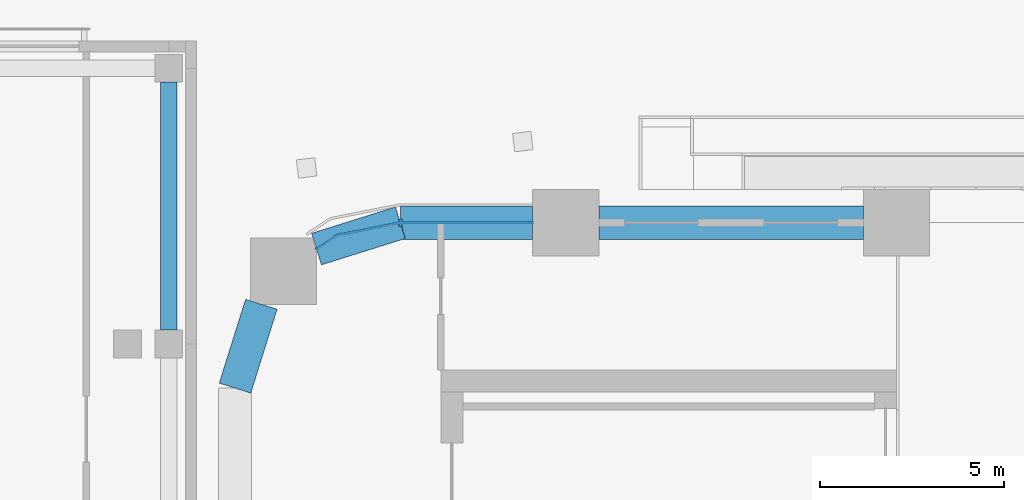
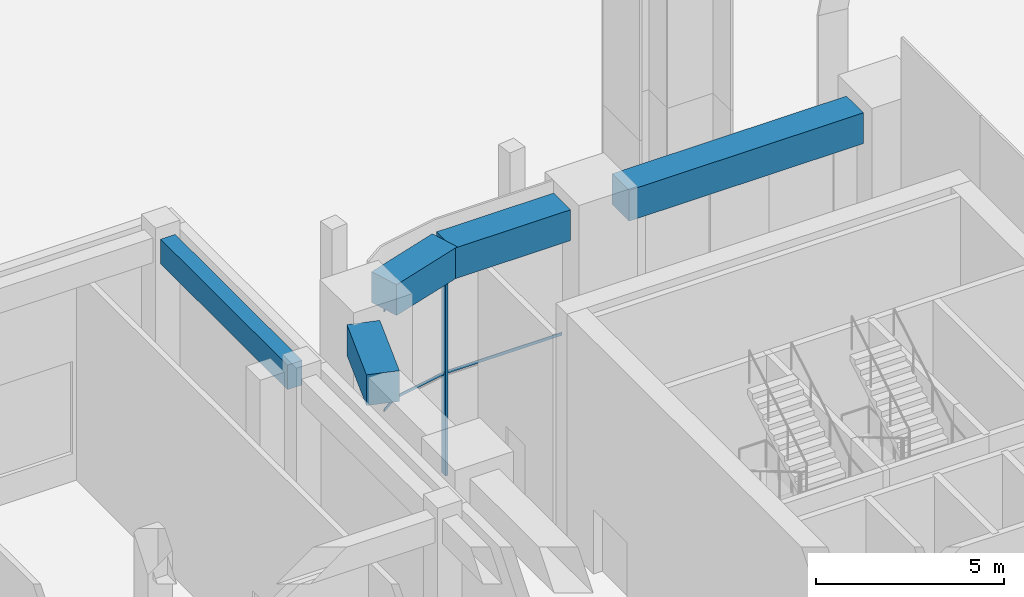
# One storey, part 17 of 64: 5 beams, 3 members, 1 element without a shape of its own.
"""IFC4 building model written with IfcOpenShell, lengths in metres."""

import ifcopenshell
import ifcopenshell.guid

model = None  # the IFC model being written
_history = None  # IfcOwnerHistory: only IFC2X3 demands one
_inside = {}  # id of a spatial element -> (the spatial element, [elements in it])
_under = {}  # id of a project, library or spatial element -> (it, [spatial elements below it])
_declared = {}  # id of a project -> (the project, [libraries it declares])
_typed = {}  # id of a type object -> (the type object, [elements of that type])
_made_of = {}  # id of a material, layer set ... -> (it, [elements and type objects made of it])


def new_model(schema):
    """Start an empty IFC model of exactly this schema.

    Asked for "IFC4X3", IfcOpenShell would pick the latest addendum, in which some entities
    have other attributes; the version numbers below select the first issue.
    IFC2X3 requires an IfcOwnerHistory on every rooted entity: one is made here for all.
    """
    global model, _history
    if schema == "IFC4X3":
        model = ifcopenshell.file(schema_version=(4, 3, 0, 0))
    else:
        model = ifcopenshell.file(schema=schema)
    _inside.clear()
    _under.clear()
    _declared.clear()
    _typed.clear()
    _made_of.clear()
    _history = None
    if model.schema == "IFC2X3":
        org = make("IfcOrganization", Name="unknown")
        user = make(
            "IfcPersonAndOrganization",
            ThePerson=make("IfcPerson", FamilyName="unknown"),
            TheOrganization=org,
        )
        app = make(
            "IfcApplication",
            ApplicationDeveloper=org,
            Version="unknown",
            ApplicationFullName="unknown",
            ApplicationIdentifier="unknown",
        )
        _history = make(
            "IfcOwnerHistory",
            OwningUser=user,
            OwningApplication=app,
            ChangeAction="ADDED",
            CreationDate=0,
        )
    return model


def make(cls, **values):
    """One entity of the class cls with the attributes given. An attribute that is None is left unset."""
    return model.create_entity(
        cls, **{name: value for name, value in values.items() if value is not None}
    )


def rooted(cls, **values):
    """An entity with a GlobalId (a new one), such as an element, a storey or a relation."""
    return make(cls, GlobalId=ifcopenshell.guid.new(), OwnerHistory=_history, **values)


def si_unit(unit_type, name, prefix=None):
    """IfcSIUnit, for example si_unit("LENGTHUNIT", "METRE", prefix="MILLI")."""
    return make("IfcSIUnit", UnitType=unit_type, Prefix=prefix, Name=name)


def assignment(units):
    """IfcUnitAssignment: the units of a project."""
    return None if units is None else make("IfcUnitAssignment", Units=units)


def point(xyz):
    """IfcCartesianPoint."""
    return None if xyz is None else make("IfcCartesianPoint", Coordinates=xyz)


def direction(xyz):
    """IfcDirection."""
    return None if xyz is None else make("IfcDirection", DirectionRatios=xyz)


def frame(location, z_axis=None, x_axis=None):
    """IfcAxis2Placement3D, a coordinate frame: its origin and axes. An axis left out is left unset."""
    return make(
        "IfcAxis2Placement3D",
        Location=point(location),
        Axis=direction(z_axis),
        RefDirection=direction(x_axis),
    )


def frame_2d(location, x_axis=None):
    """IfcAxis2Placement2D, a coordinate frame in the plane: its origin and x axis."""
    return make(
        "IfcAxis2Placement2D", Location=point(location), RefDirection=direction(x_axis)
    )


def origin():
    """The frame at (0, 0, 0) with its axes left unset."""
    return frame((0.0, 0.0, 0.0))


def origin_2d():
    """The frame at (0, 0) in the plane with its x axis left unset."""
    return frame_2d((0.0, 0.0))


def place(relative_to, where):
    """IfcLocalPlacement: puts the frame where relative to a parent placement (None: the world)."""
    return make(
        "IfcLocalPlacement", PlacementRelTo=relative_to, RelativePlacement=where
    )


def context(
    kind, dimensions, precision=None, world=None, true_north=None, identifier=None
):
    """IfcGeometricRepresentationContext, for example the 3D "Model" context."""
    return make(
        "IfcGeometricRepresentationContext",
        ContextIdentifier=identifier,
        ContextType=kind,
        CoordinateSpaceDimension=dimensions,
        Precision=precision,
        WorldCoordinateSystem=world,
        TrueNorth=true_north,
    )


def subcontext(parent, identifier, kind, view, scale=None):
    """IfcGeometricRepresentationSubContext, for example "Body" below "Model"."""
    return make(
        "IfcGeometricRepresentationSubContext",
        ContextIdentifier=identifier,
        ContextType=kind,
        ParentContext=parent,
        TargetScale=scale,
        TargetView=view,
    )


def project(units=None, contexts=None):
    """IfcProject with its units and contexts."""
    return rooted(
        "IfcProject",
        Name="project",
        RepresentationContexts=contexts,
        UnitsInContext=assignment(units),
    )


def spatial(cls, under=None, at=None, **own):
    """A site, building, storey or space (cls), placed at a placement, below another one or the project."""
    s = rooted(cls, ObjectPlacement=at, **own)
    if under is not None:
        _under.setdefault(under.id(), (under, []))[1].append(s)
    return s


def polyline(points):
    """IfcPolyline through the points."""
    return make("IfcPolyline", Points=[point(p) for p in points])


def profile(cls, at=None, kind="AREA", **sizes):
    """A parametric profile (cls). Its sizes go by their IFC names, for example OverallWidth=200.0."""
    return make(cls, ProfileType=kind, Position=at, **sizes)


def rectangle(**sizes):
    """IfcRectangleProfileDef."""
    return profile("IfcRectangleProfileDef", **sizes)


def outline(outer, holes=None, kind="AREA"):
    """IfcArbitraryClosedProfileDef: a profile drawn as a closed curve; with holes, ...WithVoids."""
    if holes is None:
        return make("IfcArbitraryClosedProfileDef", ProfileType=kind, OuterCurve=outer)
    return make(
        "IfcArbitraryProfileDefWithVoids",
        ProfileType=kind,
        OuterCurve=outer,
        InnerCurves=holes,
    )


def extrude(swept, where, along, depth):
    """IfcExtrudedAreaSolid: the profile swept, set in the frame where, extruded along a direction by depth."""
    return make(
        "IfcExtrudedAreaSolid",
        SweptArea=swept,
        Position=where,
        ExtrudedDirection=direction(along),
        Depth=depth,
    )


def shape(context_of_items, identifier, shape_type, items):
    """IfcShapeRepresentation: the items that make up one representation, for example the "Body"."""
    return make(
        "IfcShapeRepresentation",
        ContextOfItems=context_of_items,
        RepresentationIdentifier=identifier,
        RepresentationType=shape_type,
        Items=items,
    )


def material(Name=None, Category=None):
    """IfcMaterial."""
    return make("IfcMaterial", Name=Name, Category=Category)


def material_profile(
    of_material, cross_section, Name=None, Category=None, Priority=None
):
    """IfcMaterialProfile: a cross section and its material."""
    return make(
        "IfcMaterialProfile",
        Name=Name,
        Material=of_material,
        Profile=cross_section,
        Priority=Priority,
        Category=Category,
    )


def profile_set(profiles, Name=None, composite=None):
    """IfcMaterialProfileSet."""
    return make(
        "IfcMaterialProfileSet",
        Name=Name,
        MaterialProfiles=profiles,
        CompositeProfile=composite,
    )


def made_of(thing, what):
    """Note that an element or type object is made of a material, layer set ...; save() writes the relation."""
    if what is not None:
        _made_of.setdefault(what.id(), (what, []))[1].append(thing)
    return thing


def type_object(cls, material=None, **own):
    """A type object (cls), such as IfcWallType, which elements share."""
    return made_of(rooted(cls, **own), material)


def element(
    cls,
    number,
    at=None,
    inside=None,
    cuts=None,
    type_object=None,
    material=None,
    context=None,
    identifier="Body",
    shape_type=None,
    held_by="IfcProductDefinitionShape",
    body=None,
    shapes=None,
    **own,
):
    """One element of the class cls, such as IfcWall. Its Tag is "e" and its number.

    at: its placement. inside: the storey or other place that contains it. cuts: it is an
    opening in that element (IfcRelVoidsElement). A single representation is given by context,
    identifier, shape_type and body (its items); several are given by shapes. held_by: the class
    of the entity that holds the representations. save() writes the other relations.
    """
    e = rooted(cls, Tag="e%d" % number, ObjectPlacement=at, **own)
    if body is not None:
        shapes = [shape(context, identifier, shape_type, body)]
    if shapes is not None:
        e.Representation = make(held_by, Representations=shapes)
    if inside is not None:
        _inside.setdefault(inside.id(), (inside, []))[1].append(e)
    if cuts is not None:
        rooted(
            "IfcRelVoidsElement", RelatingBuildingElement=cuts, RelatedOpeningElement=e
        )
    if type_object is not None:
        _typed.setdefault(type_object.id(), (type_object, []))[1].append(e)
    return made_of(e, material)


def aggregate(whole, parts):
    """IfcRelAggregates: a whole, such as a stair, and the parts it consists of."""
    return rooted("IfcRelAggregates", RelatingObject=whole, RelatedObjects=parts)


def save(model, path):
    """Write the relations noted so far, then the file.

    IfcRelAggregates (storeys below a building ...), IfcRelContainedInSpatialStructure (elements
    in a storey), IfcRelDefinesByType, IfcRelAssociatesMaterial and IfcRelDeclares: one each for
    every whole, place, type object, material and project.
    """
    for whole, parts in _under.values():
        aggregate(whole, parts)
    for where, things in _inside.values():
        rooted(
            "IfcRelContainedInSpatialStructure",
            RelatedElements=things,
            RelatingStructure=where,
        )
    for kind, things in _typed.values():
        rooted("IfcRelDefinesByType", RelatedObjects=things, RelatingType=kind)
    for what, things in _made_of.values():
        rooted("IfcRelAssociatesMaterial", RelatedObjects=things, RelatingMaterial=what)
    for by, libraries in _declared.values():
        rooted("IfcRelDeclares", RelatingContext=by, RelatedDefinitions=libraries)
    model.write(path)


model = new_model("IFC4")

# Units and contexts
model_context = context("Model", 3, precision=1e-05, world=origin(), true_north=direction((0.0, 1.0)))
body_context = subcontext(model_context, "Body", "Model", "MODEL_VIEW")
ifc_project = project(units=[si_unit("LENGTHUNIT", "METRE"), si_unit("AREAUNIT", "SQUARE_METRE"), si_unit("VOLUMEUNIT", "CUBIC_METRE"), si_unit("PLANEANGLEUNIT", "RADIAN"), si_unit("MASSUNIT", "GRAM", prefix="KILO")], contexts=[model_context])

# Site, building, storey
site_placement = place(None, origin())
site = spatial("IfcSite", under=ifc_project, at=site_placement, CompositionType="ELEMENT")
building_placement = place(site_placement, origin())
building = spatial("IfcBuilding", under=site, at=building_placement, Name="Tessera Arch", CompositionType="ELEMENT")
storey_placement = place(building_placement, origin())
storey = spatial("IfcBuildingStorey", under=building, at=storey_placement, Name="L00", CompositionType="ELEMENT", Elevation=0.0)

# Curtain wall, members
ifc_material_1 = material(Name="CW2 curtain wall")
curtain_wall_type = type_object("IfcCurtainWallType", Name="CW2 curtain wall", PredefinedType="NOTDEFINED", material=ifc_material_1)
curtain_wall_placement = place(storey_placement, origin())
curtain_wall = element("IfcCurtainWall", 1, at=curtain_wall_placement, inside=storey, type_object=curtain_wall_type, Name="CW2 curtain wall N54.0/1 L00", PredefinedType="NOTDEFINED")
ifc_material_2 = material(Name="Anodised aluminium pale metal", Category="aluminium")
ifc_material_profile_1 = material_profile(ifc_material_2, rectangle(XDim=0.199951171875, YDim=0.080078125, at=origin_2d()), Name="AL 80x200")
ifc_profile_set_1 = profile_set([ifc_material_profile_1], Name="Anodised aluminium pale metal")
member_type_1 = type_object("IfcMemberType", Name="CW2 mullion", PredefinedType="MULLION", material=ifc_profile_set_1)
member_1_placement = place(storey_placement, frame((4.5, 54.0, 0.0), z_axis=(0.0, 0.0, 1.0), x_axis=(0.0, -1.0, 0.0)))
member_1 = element("IfcMember", 2, at=member_1_placement, type_object=member_type_1, Name="CW2 mullion N54.0/1 1", PredefinedType="MULLION", context=body_context, shape_type="SweptSolid", body=[
    extrude(rectangle(XDim=0.199951171875, YDim=0.080078125, at=origin_2d()), origin(), (0.0, 0.0, 1.0), 6.489990234375),
])
ifc_material_3 = material(Name="Anodised aluminium pale metal", Category="aluminium")
ifc_material_profile_2 = material_profile(ifc_material_3, rectangle(XDim=0.199951171875, YDim=0.10009765625, at=origin_2d()), Name="AL 200x100")
ifc_profile_set_2 = profile_set([ifc_material_profile_2], Name="Anodised aluminium pale metal")
member_type_2 = type_object("IfcMemberType", Name="CW2 transom", PredefinedType="USERDEFINED", material=ifc_profile_set_2)
member_2_placement = place(storey_placement, frame((0.0, 0.0, 3.2451171875)))
member_2 = element("IfcMember", 3, at=member_2_placement, type_object=member_type_2, Name="CW2 transom N54.0/1 1", ObjectType="TRANSOM", PredefinedType="USERDEFINED", context=body_context, shape_type="SweptSolid", body=[
    extrude(outline(polyline([(4.5009765625, 53.989990234375), (8.10009765625, 53.989990234375), (8.10009765625, 54.010009765625), (4.4990234375, 54.010009765625), (2.77392578125, 53.6669921875), (2.21240234375, 53.29150390625), (2.2236328125, 53.27490234375), (2.78173828125, 53.648193359375), (4.5009765625, 53.989990234375)])), origin(), (0.0, 0.0, 1.0), 0.099853515625),
])
member_3_placement = place(storey_placement, frame((0.0, 0.0, 6.489990234375)))
member_3 = element("IfcMember", 4, at=member_3_placement, type_object=member_type_2, Name="CW2 transom N54.0/1 2", ObjectType="TRANSOM", PredefinedType="USERDEFINED", context=body_context, shape_type="SweptSolid", body=[
    extrude(outline(polyline([(4.5009765625, 53.989990234375), (8.10009765625, 53.989990234375), (8.10009765625, 54.010009765625), (4.4990234375, 54.010009765625), (2.77392578125, 53.6669921875), (2.21240234375, 53.29150390625), (2.2236328125, 53.27490234375), (2.78173828125, 53.648193359375), (4.5009765625, 53.989990234375)])), origin(), (0.0, 0.0, 1.0), 0.10009765625),
])
aggregate(curtain_wall, [member_1, member_2, member_3])

# Beams
ifc_material_4 = material(Name="Concrete C40/50", Category="concrete")
ifc_material_profile_3 = material_profile(ifc_material_4, rectangle(XDim=0.449951171875, YDim=0.800048828125, at=origin_2d()), Name="Museum beam 450 x 800 Concrete C40/50")
ifc_profile_set_3 = profile_set([ifc_material_profile_3], Name="Concrete C40/50")
beam_type_1 = type_object("IfcBeamType", Name="Museum beam 450 x 800 Concrete C40/50", PredefinedType="BEAM", material=ifc_profile_set_3)
beam_1_placement = place(storey_placement, frame((-1.800048828125, 51.074951171875, 7.18994140625), z_axis=(0.0, 1.0, 0.0), x_axis=(-1.0, 0.0, 0.0)))
element("IfcBeam", 5, at=beam_1_placement, inside=storey, type_object=beam_type_1, Name="Museum beam L00 45", PredefinedType="BEAM", context=body_context, shape_type="SweptSolid", body=[
    extrude(rectangle(XDim=0.449951171875, YDim=0.800048828125, at=origin_2d()), origin(), (0.0, 0.0, 1.0), 6.75),
])
ifc_material_5 = material(Name="Concrete C80/95", Category="concrete")
ifc_material_profile_4 = material_profile(ifc_material_5, rectangle(XDim=0.89990234375, YDim=1.0, at=origin_2d()), Name="RC spandrel beam 900 x 1000 Concrete C80/95")
ifc_profile_set_4 = profile_set([ifc_material_profile_4], Name="Concrete C80/95")
beam_type_2 = type_object("IfcBeamType", Name="RC spandrel beam 900 x 1000 Concrete C80/95", PredefinedType="BEAM", material=ifc_profile_set_4)
beam_2_placement = place(storey_placement, frame((17.10009765625, 54.0, 7.090087890625), z_axis=(-1.0, 0.0, 0.0), x_axis=(0.0, -1.0, 0.0)))
element("IfcBeam", 6, at=beam_2_placement, inside=storey, type_object=beam_type_2, Name="Spandrel beam L00 N54.0/0", PredefinedType="BEAM", context=body_context, shape_type="SweptSolid", body=[
    extrude(rectangle(XDim=0.89990234375, YDim=1.0, at=origin_2d()), origin(), (0.0, 0.0, 1.0), 7.2001953125),
])
beam_3_placement = place(storey_placement, frame((8.10009765625, 54.0, 7.090087890625), z_axis=(-1.0, 0.0, 0.0), x_axis=(0.0, -1.0, 0.0)))
element("IfcBeam", 7, at=beam_3_placement, inside=storey, type_object=beam_type_2, Name="Spandrel beam L00 N54.0/1.1", PredefinedType="BEAM", context=body_context, shape_type="SweptSolid", body=[
    extrude(rectangle(XDim=0.89990234375, YDim=1.0, at=origin_2d()), origin(), (0.0, 0.0, 1.0), 3.60009765625),
])
for number, where, z_axis, x_axis, name in (
    (8, (4.5, 54.0, 7.090087890625), (-0.954041251279, -0.299675309057, 0.0), (0.299675309057, -0.954041251279, 0.0), "Spandrel beam L00 N54.0/1.2"),
    (9, (0.716796875, 51.781982421875, 7.090087890625), (-0.299675309057, -0.954041251279, 0.0), (0.954041251279, -0.299675309057, 0.0), "Spandrel beam L00 W0.0/0.1"),
):
    element("IfcBeam", number, at=place(storey_placement, frame(where, z_axis=z_axis, x_axis=x_axis)), inside=storey, type_object=beam_type_2, Name=name, PredefinedType="BEAM", context=body_context, shape_type="SweptSolid", body=[
        extrude(rectangle(XDim=0.89990234375, YDim=1.0, at=origin_2d()), origin(), (0.0, 0.0, 1.0), 2.391845703125),
    ])

save(model, "model.ifc")
